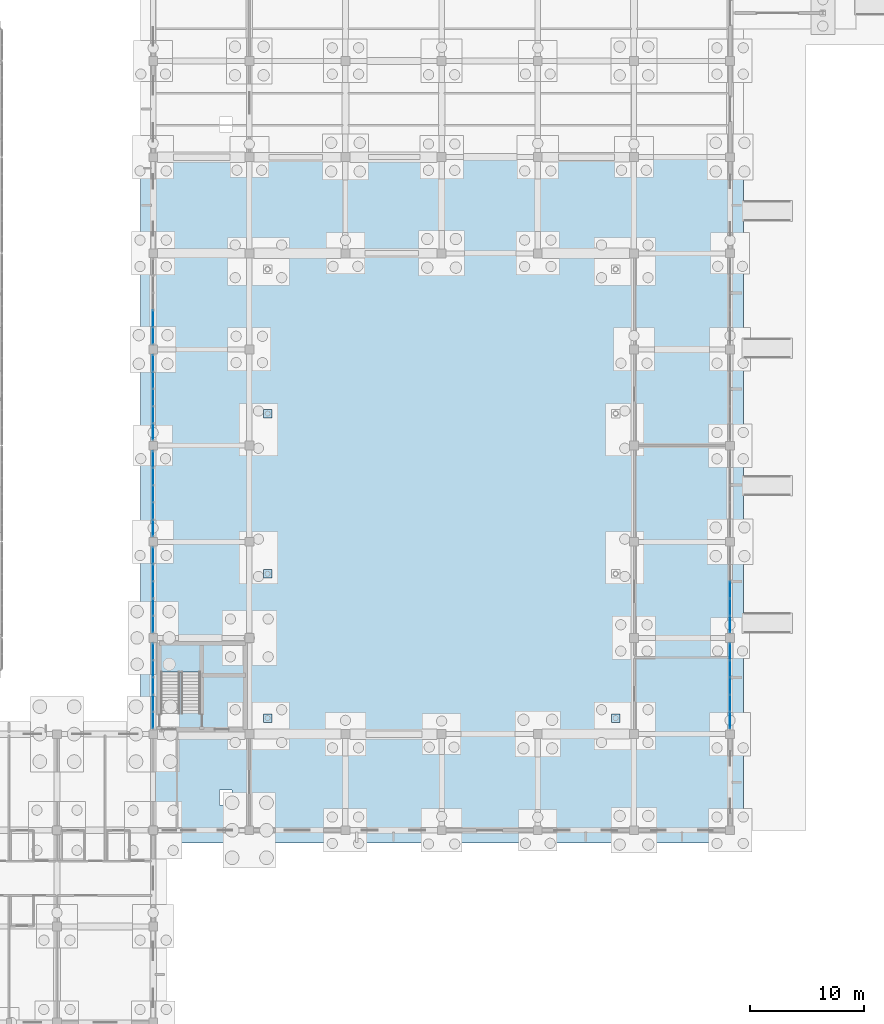
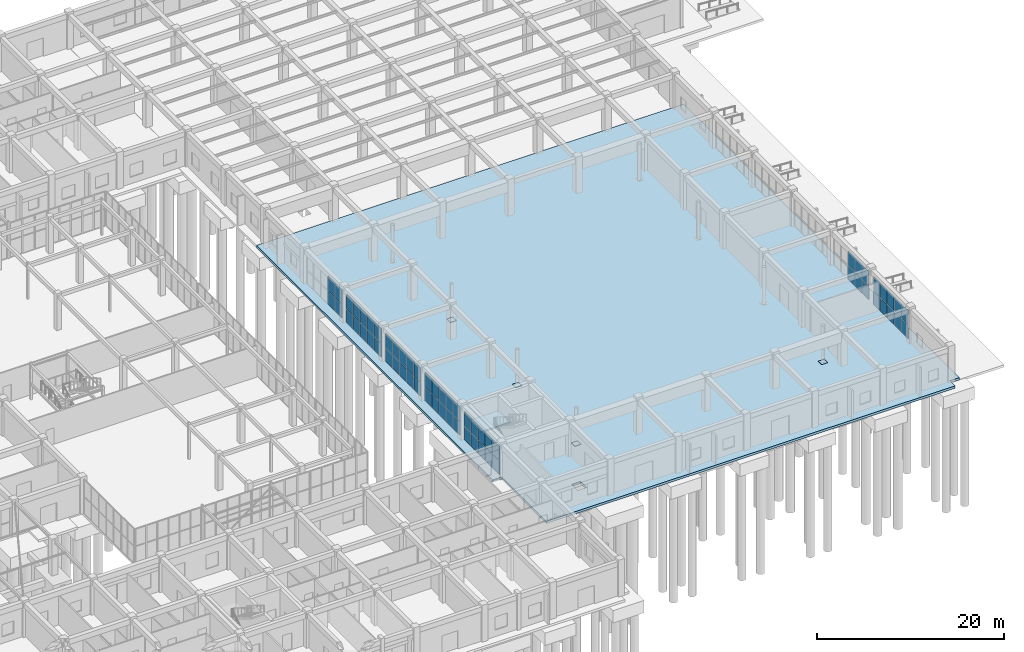
# One storey, part 144 of 192: 64 plates, 2 slabs, 8 elements without a shape of their own.
"""IFC4 building model written with IfcOpenShell, lengths in metres."""

from ifc_helpers import new_model, si_unit, direction, frame, origin, origin_2d, place, context, subcontext, project, spatial, polyline, rectangle, outline, extrude, material, layer, layer_set, type_object, element, aggregate, save


model = new_model("IFC4")

# Units and contexts
model_context = context("Model", 3, precision=1e-05, world=origin(), true_north=direction((0.0, 1.0)))
body_context = subcontext(model_context, "Body", "Model", "MODEL_VIEW")
ifc_project = project(units=[si_unit("LENGTHUNIT", "METRE"), si_unit("AREAUNIT", "SQUARE_METRE"), si_unit("VOLUMEUNIT", "CUBIC_METRE"), si_unit("PLANEANGLEUNIT", "RADIAN"), si_unit("MASSUNIT", "GRAM", prefix="KILO")], contexts=[model_context])

# Site, building, storey
site_placement = place(None, origin())
site = spatial("IfcSite", under=ifc_project, at=site_placement, CompositionType="ELEMENT")
building_placement = place(site_placement, origin())
building = spatial("IfcBuilding", under=site, at=building_placement, Name="Trelvath General Hospital", CompositionType="ELEMENT")
storey_placement = place(building_placement, origin())
storey = spatial("IfcBuildingStorey", under=building, at=storey_placement, Name="L00", CompositionType="ELEMENT", Elevation=0.0)

# Slab
ifc_material_1 = material(Name="Concrete C35/45", Category="concrete")
ifc_layer_1 = layer(ifc_material_1, 0.300048828125)
ifc_layer_set_1 = layer_set([ifc_layer_1], Name="Concrete C35/45")
slab_type_1 = type_object("IfcSlabType", Name="BaseSlab RC300", PredefinedType="BASESLAB", material=ifc_layer_set_1)
slab_1_placement = place(storey_placement, frame((0.0, 0.0, -0.300048828125)))
element("IfcSlab", 1, at=slab_1_placement, inside=storey, type_object=slab_type_1, Name="Floor Slab SL-L00-V1-M1", PredefinedType="BASESLAB", context=body_context, shape_type="SweptSolid", body=[
    extrude(outline(polyline([(133.300048828125, 25.219970703125), (133.300048828125, 75.60009765625), (134.3798828125, 75.60009765625), (134.3798828125, 75.580078125), (134.39990234375, 75.60009765625), (184.800048828125, 75.60009765625), (184.800048828125, 75.580078125), (184.820068359375, 75.60009765625), (185.949951171875, 75.60009765625), (185.949951171875, 16.800048828125), (184.800048828125, 16.800048828125), (184.800048828125, 15.699951171875), (134.419921875, 15.699951171875), (134.419921875, 16.800048828125), (134.39990234375, 16.800048828125), (134.39990234375, 25.219970703125), (133.300048828125, 25.219970703125)]), holes=[polyline([(140.199951171875, 19.0), (141.300048828125, 19.0), (141.300048828125, 20.300048828125), (140.199951171875, 20.300048828125), (140.199951171875, 19.0)])]), origin(), (0.0, 0.0, 1.0), 0.300048828125),
])

# Plates
ifc_material_2 = material(Name="Steel S355", Category="steel")
ifc_layer_2 = layer(ifc_material_2, 0.01611328125)
ifc_layer_set_2 = layer_set([ifc_layer_2], Name="Steel S355")
plate_type_1 = type_object("IfcPlateType", Name="BearingPlate Steel16", PredefinedType="SHEET", material=ifc_layer_set_2)
for number, where, z_axis, x_axis, name in (
    (2, (144.39990234375, 26.60009765625, 0.0), (0.0, 0.0, 1.0), (1.0, 0.0, 0.0), "Tree Column Base Plate BP-01"),
    (3, (144.39990234375, 39.199951171875, 0.0), (0.0, 0.0, 1.0), (1.0, 0.0, 0.0), "Tree Column Base Plate BP-02"),
    (4, (144.39990234375, 53.199951171875, 0.0), (0.0, 0.0, 1.0), (1.0, 0.0, 0.0), "Tree Column Base Plate BP-03"),
    (5, (174.800048828125, 26.60009765625, 0.0), (0.0, 0.0, 1.0), (1.0, 0.0, 0.0), "Tree Column Base Plate BP-05"),
):
    element("IfcPlate", number, at=place(storey_placement, frame(where, z_axis=z_axis, x_axis=x_axis)), inside=storey, type_object=plate_type_1, Name=name, PredefinedType="SHEET", context=body_context, shape_type="SweptSolid", body=[
        extrude(rectangle(XDim=0.75, YDim=0.75, at=origin_2d()), origin(), (0.0, 0.0, 1.0), 0.01611328125),
    ])

# Curtain wall, plates
ifc_material_3 = material(Name="Anodised aluminium and low-E glass", Category="aluminium")
ifc_layer_3 = layer(ifc_material_3, 0.179931640625)
ifc_layer_set_3 = layer_set([ifc_layer_3], Name="Anodised aluminium and low-E glass")
curtain_wall_type = type_object("IfcCurtainWallType", Name="CW Facade 753 382 18", PredefinedType="USERDEFINED", material=ifc_layer_set_3)
curtain_wall_1_placement = place(storey_placement, origin())
curtain_wall_1 = element("IfcCurtainWall", 6, at=curtain_wall_1_placement, inside=storey, type_object=curtain_wall_type, Name="Facade Curtain Wall CW-004", ObjectType="Unitised Glazed Curtain Wall", PredefinedType="USERDEFINED")
ifc_material_4 = material(Name="Low-E laminated glass", Category="glass")
ifc_layer_4 = layer(ifc_material_4, 0.035888671875)
ifc_layer_set_4 = layer_set([ifc_layer_4], Name="Low-E laminated glass")
plate_type_2 = type_object("IfcPlateType", Name="CurtainPanel Glass36", PredefinedType="CURTAIN_PANEL", material=ifc_layer_set_4)
plate_1_placement = place(storey_placement, frame((134.39990234375, 26.404296875, 0.06494140625), z_axis=(0.0, 0.0, 1.0), x_axis=(0.0, 1.0, 0.0)))
plate_1 = element("IfcPlate", 7, at=plate_1_placement, type_object=plate_type_2, Name="CW-004 panel 1.1", PredefinedType="CURTAIN_PANEL", context=body_context, shape_type="SweptSolid", body=[
    extrude(rectangle(XDim=1.408447265625, YDim=0.035888671875, at=origin_2d()), origin(), (0.0, 0.0, 1.0), 1.736572265625),
])
plate_2_placement = place(storey_placement, frame((134.39990234375, 26.404296875, 1.86669921875), z_axis=(0.0, 0.0, 1.0), x_axis=(0.0, 1.0, 0.0)))
plate_2 = element("IfcPlate", 8, at=plate_2_placement, type_object=plate_type_2, Name="CW-004 panel 1.2", PredefinedType="CURTAIN_PANEL", context=body_context, shape_type="SweptSolid", body=[
    extrude(rectangle(XDim=1.408447265625, YDim=0.035888671875, at=origin_2d()), origin(), (0.0, 0.0, 1.0), 1.888427734375),
])
plate_3_placement = place(storey_placement, frame((134.39990234375, 27.89404296875, 0.06494140625), z_axis=(0.0, 0.0, 1.0), x_axis=(0.0, 1.0, 0.0)))
plate_3 = element("IfcPlate", 9, at=plate_3_placement, type_object=plate_type_2, Name="CW-004 panel 2.1", PredefinedType="CURTAIN_PANEL", context=body_context, shape_type="SweptSolid", body=[
    extrude(rectangle(XDim=1.44091796875, YDim=0.035888671875, at=origin_2d()), origin(), (0.0, 0.0, 1.0), 1.736572265625),
])
plate_4_placement = place(storey_placement, frame((134.39990234375, 27.89404296875, 1.86669921875), z_axis=(0.0, 0.0, 1.0), x_axis=(0.0, 1.0, 0.0)))
plate_4 = element("IfcPlate", 10, at=plate_4_placement, type_object=plate_type_2, Name="CW-004 panel 2.2", PredefinedType="CURTAIN_PANEL", context=body_context, shape_type="SweptSolid", body=[
    extrude(rectangle(XDim=1.44091796875, YDim=0.035888671875, at=origin_2d()), origin(), (0.0, 0.0, 1.0), 1.888427734375),
])
plate_5_placement = place(storey_placement, frame((134.39990234375, 29.39990234375, 0.06494140625), z_axis=(0.0, 0.0, 1.0), x_axis=(0.0, 1.0, 0.0)))
plate_5 = element("IfcPlate", 11, at=plate_5_placement, type_object=plate_type_2, Name="CW-004 panel 3.1", PredefinedType="CURTAIN_PANEL", context=body_context, shape_type="SweptSolid", body=[
    extrude(rectangle(XDim=1.44091796875, YDim=0.035888671875, at=origin_2d()), origin(), (0.0, 0.0, 1.0), 1.736572265625),
])
plate_6_placement = place(storey_placement, frame((134.39990234375, 29.39990234375, 1.86669921875), z_axis=(0.0, 0.0, 1.0), x_axis=(0.0, 1.0, 0.0)))
plate_6 = element("IfcPlate", 12, at=plate_6_placement, type_object=plate_type_2, Name="CW-004 panel 3.2", PredefinedType="CURTAIN_PANEL", context=body_context, shape_type="SweptSolid", body=[
    extrude(rectangle(XDim=1.44091796875, YDim=0.035888671875, at=origin_2d()), origin(), (0.0, 0.0, 1.0), 1.888427734375),
])
plate_7_placement = place(storey_placement, frame((134.39990234375, 30.906005859375, 0.06494140625), z_axis=(0.0, 0.0, 1.0), x_axis=(0.0, 1.0, 0.0)))
plate_7 = element("IfcPlate", 13, at=plate_7_placement, type_object=plate_type_2, Name="CW-004 panel 4.1", PredefinedType="CURTAIN_PANEL", context=body_context, shape_type="SweptSolid", body=[
    extrude(rectangle(XDim=1.44091796875, YDim=0.035888671875, at=origin_2d()), origin(), (0.0, 0.0, 1.0), 1.736572265625),
])
plate_8_placement = place(storey_placement, frame((134.39990234375, 30.906005859375, 1.86669921875), z_axis=(0.0, 0.0, 1.0), x_axis=(0.0, 1.0, 0.0)))
plate_8 = element("IfcPlate", 14, at=plate_8_placement, type_object=plate_type_2, Name="CW-004 panel 4.2", PredefinedType="CURTAIN_PANEL", context=body_context, shape_type="SweptSolid", body=[
    extrude(rectangle(XDim=1.44091796875, YDim=0.035888671875, at=origin_2d()), origin(), (0.0, 0.0, 1.0), 1.888427734375),
])
plate_9_placement = place(storey_placement, frame((134.39990234375, 32.395751953125, 0.06494140625), z_axis=(0.0, 0.0, 1.0), x_axis=(0.0, 1.0, 0.0)))
plate_9 = element("IfcPlate", 15, at=plate_9_placement, type_object=plate_type_2, Name="CW-004 panel 5.1", PredefinedType="CURTAIN_PANEL", context=body_context, shape_type="SweptSolid", body=[
    extrude(rectangle(XDim=1.408447265625, YDim=0.035888671875, at=origin_2d()), origin(), (0.0, 0.0, 1.0), 1.736572265625),
])
plate_10_placement = place(storey_placement, frame((134.39990234375, 32.395751953125, 1.86669921875), z_axis=(0.0, 0.0, 1.0), x_axis=(0.0, 1.0, 0.0)))
plate_10 = element("IfcPlate", 16, at=plate_10_placement, type_object=plate_type_2, Name="CW-004 panel 5.2", PredefinedType="CURTAIN_PANEL", context=body_context, shape_type="SweptSolid", body=[
    extrude(rectangle(XDim=1.408447265625, YDim=0.035888671875, at=origin_2d()), origin(), (0.0, 0.0, 1.0), 1.888427734375),
])
aggregate(curtain_wall_1, [plate_1, plate_2, plate_3, plate_4, plate_5, plate_6, plate_7, plate_8, plate_9, plate_10])

curtain_wall_2_placement = place(storey_placement, origin())
curtain_wall_2 = element("IfcCurtainWall", 17, at=curtain_wall_2_placement, inside=storey, type_object=curtain_wall_type, Name="Facade Curtain Wall CW-005", ObjectType="Unitised Glazed Curtain Wall", PredefinedType="USERDEFINED")
plate_11_placement = place(storey_placement, frame((134.39990234375, 34.80419921875, 0.06494140625), z_axis=(0.0, 0.0, 1.0), x_axis=(0.0, 1.0, 0.0)))
plate_11 = element("IfcPlate", 18, at=plate_11_placement, type_object=plate_type_2, Name="CW-005 panel 1.1", PredefinedType="CURTAIN_PANEL", context=body_context, shape_type="SweptSolid", body=[
    extrude(rectangle(XDim=1.408447265625, YDim=0.035888671875, at=origin_2d()), origin(), (0.0, 0.0, 1.0), 1.736572265625),
])
plate_12_placement = place(storey_placement, frame((134.39990234375, 34.80419921875, 1.86669921875), z_axis=(0.0, 0.0, 1.0), x_axis=(0.0, 1.0, 0.0)))
plate_12 = element("IfcPlate", 19, at=plate_12_placement, type_object=plate_type_2, Name="CW-005 panel 1.2", PredefinedType="CURTAIN_PANEL", context=body_context, shape_type="SweptSolid", body=[
    extrude(rectangle(XDim=1.408447265625, YDim=0.035888671875, at=origin_2d()), origin(), (0.0, 0.0, 1.0), 1.888427734375),
])
plate_13_placement = place(storey_placement, frame((134.39990234375, 36.2939453125, 0.06494140625), z_axis=(0.0, 0.0, 1.0), x_axis=(0.0, 1.0, 0.0)))
plate_13 = element("IfcPlate", 20, at=plate_13_placement, type_object=plate_type_2, Name="CW-005 panel 2.1", PredefinedType="CURTAIN_PANEL", context=body_context, shape_type="SweptSolid", body=[
    extrude(rectangle(XDim=1.44091796875, YDim=0.035888671875, at=origin_2d()), origin(), (0.0, 0.0, 1.0), 1.736572265625),
])
plate_14_placement = place(storey_placement, frame((134.39990234375, 36.2939453125, 1.86669921875), z_axis=(0.0, 0.0, 1.0), x_axis=(0.0, 1.0, 0.0)))
plate_14 = element("IfcPlate", 21, at=plate_14_placement, type_object=plate_type_2, Name="CW-005 panel 2.2", PredefinedType="CURTAIN_PANEL", context=body_context, shape_type="SweptSolid", body=[
    extrude(rectangle(XDim=1.44091796875, YDim=0.035888671875, at=origin_2d()), origin(), (0.0, 0.0, 1.0), 1.888427734375),
])
plate_15_placement = place(storey_placement, frame((134.39990234375, 37.800048828125, 0.06494140625), z_axis=(0.0, 0.0, 1.0), x_axis=(0.0, 1.0, 0.0)))
plate_15 = element("IfcPlate", 22, at=plate_15_placement, type_object=plate_type_2, Name="CW-005 panel 3.1", PredefinedType="CURTAIN_PANEL", context=body_context, shape_type="SweptSolid", body=[
    extrude(rectangle(XDim=1.44091796875, YDim=0.035888671875, at=origin_2d()), origin(), (0.0, 0.0, 1.0), 1.736572265625),
])
plate_16_placement = place(storey_placement, frame((134.39990234375, 37.800048828125, 1.86669921875), z_axis=(0.0, 0.0, 1.0), x_axis=(0.0, 1.0, 0.0)))
plate_16 = element("IfcPlate", 23, at=plate_16_placement, type_object=plate_type_2, Name="CW-005 panel 3.2", PredefinedType="CURTAIN_PANEL", context=body_context, shape_type="SweptSolid", body=[
    extrude(rectangle(XDim=1.44091796875, YDim=0.035888671875, at=origin_2d()), origin(), (0.0, 0.0, 1.0), 1.888427734375),
])
plate_17_placement = place(storey_placement, frame((134.39990234375, 39.305908203125, 0.06494140625), z_axis=(0.0, 0.0, 1.0), x_axis=(0.0, 1.0, 0.0)))
plate_17 = element("IfcPlate", 24, at=plate_17_placement, type_object=plate_type_2, Name="CW-005 panel 4.1", PredefinedType="CURTAIN_PANEL", context=body_context, shape_type="SweptSolid", body=[
    extrude(rectangle(XDim=1.44091796875, YDim=0.035888671875, at=origin_2d()), origin(), (0.0, 0.0, 1.0), 1.736572265625),
])
plate_18_placement = place(storey_placement, frame((134.39990234375, 39.305908203125, 1.86669921875), z_axis=(0.0, 0.0, 1.0), x_axis=(0.0, 1.0, 0.0)))
plate_18 = element("IfcPlate", 25, at=plate_18_placement, type_object=plate_type_2, Name="CW-005 panel 4.2", PredefinedType="CURTAIN_PANEL", context=body_context, shape_type="SweptSolid", body=[
    extrude(rectangle(XDim=1.44091796875, YDim=0.035888671875, at=origin_2d()), origin(), (0.0, 0.0, 1.0), 1.888427734375),
])
plate_19_placement = place(storey_placement, frame((134.39990234375, 40.795654296875, 0.06494140625), z_axis=(0.0, 0.0, 1.0), x_axis=(0.0, 1.0, 0.0)))
plate_19 = element("IfcPlate", 26, at=plate_19_placement, type_object=plate_type_2, Name="CW-005 panel 5.1", PredefinedType="CURTAIN_PANEL", context=body_context, shape_type="SweptSolid", body=[
    extrude(rectangle(XDim=1.408447265625, YDim=0.035888671875, at=origin_2d()), origin(), (0.0, 0.0, 1.0), 1.736572265625),
])
plate_20_placement = place(storey_placement, frame((134.39990234375, 40.795654296875, 1.86669921875), z_axis=(0.0, 0.0, 1.0), x_axis=(0.0, 1.0, 0.0)))
plate_20 = element("IfcPlate", 27, at=plate_20_placement, type_object=plate_type_2, Name="CW-005 panel 5.2", PredefinedType="CURTAIN_PANEL", context=body_context, shape_type="SweptSolid", body=[
    extrude(rectangle(XDim=1.408447265625, YDim=0.035888671875, at=origin_2d()), origin(), (0.0, 0.0, 1.0), 1.888427734375),
])
aggregate(curtain_wall_2, [plate_11, plate_12, plate_13, plate_14, plate_15, plate_16, plate_17, plate_18, plate_19, plate_20])

curtain_wall_3_placement = place(storey_placement, origin())
curtain_wall_3 = element("IfcCurtainWall", 28, at=curtain_wall_3_placement, inside=storey, type_object=curtain_wall_type, Name="Facade Curtain Wall CW-006", ObjectType="Unitised Glazed Curtain Wall", PredefinedType="USERDEFINED")
plate_21_placement = place(storey_placement, frame((134.39990234375, 43.204345703125, 0.06494140625), z_axis=(0.0, 0.0, 1.0), x_axis=(0.0, 1.0, 0.0)))
plate_21 = element("IfcPlate", 29, at=plate_21_placement, type_object=plate_type_2, Name="CW-006 panel 1.1", PredefinedType="CURTAIN_PANEL", context=body_context, shape_type="SweptSolid", body=[
    extrude(rectangle(XDim=1.408447265625, YDim=0.035888671875, at=origin_2d()), origin(), (0.0, 0.0, 1.0), 1.736572265625),
])
plate_22_placement = place(storey_placement, frame((134.39990234375, 43.204345703125, 1.86669921875), z_axis=(0.0, 0.0, 1.0), x_axis=(0.0, 1.0, 0.0)))
plate_22 = element("IfcPlate", 30, at=plate_22_placement, type_object=plate_type_2, Name="CW-006 panel 1.2", PredefinedType="CURTAIN_PANEL", context=body_context, shape_type="SweptSolid", body=[
    extrude(rectangle(XDim=1.408447265625, YDim=0.035888671875, at=origin_2d()), origin(), (0.0, 0.0, 1.0), 1.888427734375),
])
plate_23_placement = place(storey_placement, frame((134.39990234375, 44.694091796875, 0.06494140625), z_axis=(0.0, 0.0, 1.0), x_axis=(0.0, 1.0, 0.0)))
plate_23 = element("IfcPlate", 31, at=plate_23_placement, type_object=plate_type_2, Name="CW-006 panel 2.1", PredefinedType="CURTAIN_PANEL", context=body_context, shape_type="SweptSolid", body=[
    extrude(rectangle(XDim=1.44091796875, YDim=0.035888671875, at=origin_2d()), origin(), (0.0, 0.0, 1.0), 1.736572265625),
])
plate_24_placement = place(storey_placement, frame((134.39990234375, 44.694091796875, 1.86669921875), z_axis=(0.0, 0.0, 1.0), x_axis=(0.0, 1.0, 0.0)))
plate_24 = element("IfcPlate", 32, at=plate_24_placement, type_object=plate_type_2, Name="CW-006 panel 2.2", PredefinedType="CURTAIN_PANEL", context=body_context, shape_type="SweptSolid", body=[
    extrude(rectangle(XDim=1.44091796875, YDim=0.035888671875, at=origin_2d()), origin(), (0.0, 0.0, 1.0), 1.888427734375),
])
plate_25_placement = place(storey_placement, frame((134.39990234375, 46.199951171875, 0.06494140625), z_axis=(0.0, 0.0, 1.0), x_axis=(0.0, 1.0, 0.0)))
plate_25 = element("IfcPlate", 33, at=plate_25_placement, type_object=plate_type_2, Name="CW-006 panel 3.1", PredefinedType="CURTAIN_PANEL", context=body_context, shape_type="SweptSolid", body=[
    extrude(rectangle(XDim=1.44091796875, YDim=0.035888671875, at=origin_2d()), origin(), (0.0, 0.0, 1.0), 1.736572265625),
])
plate_26_placement = place(storey_placement, frame((134.39990234375, 46.199951171875, 1.86669921875), z_axis=(0.0, 0.0, 1.0), x_axis=(0.0, 1.0, 0.0)))
plate_26 = element("IfcPlate", 34, at=plate_26_placement, type_object=plate_type_2, Name="CW-006 panel 3.2", PredefinedType="CURTAIN_PANEL", context=body_context, shape_type="SweptSolid", body=[
    extrude(rectangle(XDim=1.44091796875, YDim=0.035888671875, at=origin_2d()), origin(), (0.0, 0.0, 1.0), 1.888427734375),
])
plate_27_placement = place(storey_placement, frame((134.39990234375, 47.7060546875, 0.06494140625), z_axis=(0.0, 0.0, 1.0), x_axis=(0.0, 1.0, 0.0)))
plate_27 = element("IfcPlate", 35, at=plate_27_placement, type_object=plate_type_2, Name="CW-006 panel 4.1", PredefinedType="CURTAIN_PANEL", context=body_context, shape_type="SweptSolid", body=[
    extrude(rectangle(XDim=1.44091796875, YDim=0.035888671875, at=origin_2d()), origin(), (0.0, 0.0, 1.0), 1.736572265625),
])
plate_28_placement = place(storey_placement, frame((134.39990234375, 47.7060546875, 1.86669921875), z_axis=(0.0, 0.0, 1.0), x_axis=(0.0, 1.0, 0.0)))
plate_28 = element("IfcPlate", 36, at=plate_28_placement, type_object=plate_type_2, Name="CW-006 panel 4.2", PredefinedType="CURTAIN_PANEL", context=body_context, shape_type="SweptSolid", body=[
    extrude(rectangle(XDim=1.44091796875, YDim=0.035888671875, at=origin_2d()), origin(), (0.0, 0.0, 1.0), 1.888427734375),
])
plate_29_placement = place(storey_placement, frame((134.39990234375, 49.19580078125, 0.06494140625), z_axis=(0.0, 0.0, 1.0), x_axis=(0.0, 1.0, 0.0)))
plate_29 = element("IfcPlate", 37, at=plate_29_placement, type_object=plate_type_2, Name="CW-006 panel 5.1", PredefinedType="CURTAIN_PANEL", context=body_context, shape_type="SweptSolid", body=[
    extrude(rectangle(XDim=1.408447265625, YDim=0.035888671875, at=origin_2d()), origin(), (0.0, 0.0, 1.0), 1.736572265625),
])
plate_30_placement = place(storey_placement, frame((134.39990234375, 49.19580078125, 1.86669921875), z_axis=(0.0, 0.0, 1.0), x_axis=(0.0, 1.0, 0.0)))
plate_30 = element("IfcPlate", 38, at=plate_30_placement, type_object=plate_type_2, Name="CW-006 panel 5.2", PredefinedType="CURTAIN_PANEL", context=body_context, shape_type="SweptSolid", body=[
    extrude(rectangle(XDim=1.408447265625, YDim=0.035888671875, at=origin_2d()), origin(), (0.0, 0.0, 1.0), 1.888427734375),
])
aggregate(curtain_wall_3, [plate_21, plate_22, plate_23, plate_24, plate_25, plate_26, plate_27, plate_28, plate_29, plate_30])

curtain_wall_4_placement = place(storey_placement, origin())
curtain_wall_4 = element("IfcCurtainWall", 39, at=curtain_wall_4_placement, inside=storey, type_object=curtain_wall_type, Name="Facade Curtain Wall CW-007", ObjectType="Unitised Glazed Curtain Wall", PredefinedType="USERDEFINED")
plate_31_placement = place(storey_placement, frame((134.39990234375, 51.604248046875, 0.06494140625), z_axis=(0.0, 0.0, 1.0), x_axis=(0.0, 1.0, 0.0)))
plate_31 = element("IfcPlate", 40, at=plate_31_placement, type_object=plate_type_2, Name="CW-007 panel 1.1", PredefinedType="CURTAIN_PANEL", context=body_context, shape_type="SweptSolid", body=[
    extrude(rectangle(XDim=1.408447265625, YDim=0.035888671875, at=origin_2d()), origin(), (0.0, 0.0, 1.0), 1.736572265625),
])
plate_32_placement = place(storey_placement, frame((134.39990234375, 51.604248046875, 1.86669921875), z_axis=(0.0, 0.0, 1.0), x_axis=(0.0, 1.0, 0.0)))
plate_32 = element("IfcPlate", 41, at=plate_32_placement, type_object=plate_type_2, Name="CW-007 panel 1.2", PredefinedType="CURTAIN_PANEL", context=body_context, shape_type="SweptSolid", body=[
    extrude(rectangle(XDim=1.408447265625, YDim=0.035888671875, at=origin_2d()), origin(), (0.0, 0.0, 1.0), 1.888427734375),
])
plate_33_placement = place(storey_placement, frame((134.39990234375, 53.093994140625, 0.06494140625), z_axis=(0.0, 0.0, 1.0), x_axis=(0.0, 1.0, 0.0)))
plate_33 = element("IfcPlate", 42, at=plate_33_placement, type_object=plate_type_2, Name="CW-007 panel 2.1", PredefinedType="CURTAIN_PANEL", context=body_context, shape_type="SweptSolid", body=[
    extrude(rectangle(XDim=1.44091796875, YDim=0.035888671875, at=origin_2d()), origin(), (0.0, 0.0, 1.0), 1.736572265625),
])
plate_34_placement = place(storey_placement, frame((134.39990234375, 53.093994140625, 1.86669921875), z_axis=(0.0, 0.0, 1.0), x_axis=(0.0, 1.0, 0.0)))
plate_34 = element("IfcPlate", 43, at=plate_34_placement, type_object=plate_type_2, Name="CW-007 panel 2.2", PredefinedType="CURTAIN_PANEL", context=body_context, shape_type="SweptSolid", body=[
    extrude(rectangle(XDim=1.44091796875, YDim=0.035888671875, at=origin_2d()), origin(), (0.0, 0.0, 1.0), 1.888427734375),
])
plate_35_placement = place(storey_placement, frame((134.39990234375, 54.60009765625, 0.06494140625), z_axis=(0.0, 0.0, 1.0), x_axis=(0.0, 1.0, 0.0)))
plate_35 = element("IfcPlate", 44, at=plate_35_placement, type_object=plate_type_2, Name="CW-007 panel 3.1", PredefinedType="CURTAIN_PANEL", context=body_context, shape_type="SweptSolid", body=[
    extrude(rectangle(XDim=1.44091796875, YDim=0.035888671875, at=origin_2d()), origin(), (0.0, 0.0, 1.0), 1.736572265625),
])
plate_36_placement = place(storey_placement, frame((134.39990234375, 54.60009765625, 1.86669921875), z_axis=(0.0, 0.0, 1.0), x_axis=(0.0, 1.0, 0.0)))
plate_36 = element("IfcPlate", 45, at=plate_36_placement, type_object=plate_type_2, Name="CW-007 panel 3.2", PredefinedType="CURTAIN_PANEL", context=body_context, shape_type="SweptSolid", body=[
    extrude(rectangle(XDim=1.44091796875, YDim=0.035888671875, at=origin_2d()), origin(), (0.0, 0.0, 1.0), 1.888427734375),
])
plate_37_placement = place(storey_placement, frame((134.39990234375, 56.10595703125, 0.06494140625), z_axis=(0.0, 0.0, 1.0), x_axis=(0.0, 1.0, 0.0)))
plate_37 = element("IfcPlate", 46, at=plate_37_placement, type_object=plate_type_2, Name="CW-007 panel 4.1", PredefinedType="CURTAIN_PANEL", context=body_context, shape_type="SweptSolid", body=[
    extrude(rectangle(XDim=1.44091796875, YDim=0.035888671875, at=origin_2d()), origin(), (0.0, 0.0, 1.0), 1.736572265625),
])
plate_38_placement = place(storey_placement, frame((134.39990234375, 56.10595703125, 1.86669921875), z_axis=(0.0, 0.0, 1.0), x_axis=(0.0, 1.0, 0.0)))
plate_38 = element("IfcPlate", 47, at=plate_38_placement, type_object=plate_type_2, Name="CW-007 panel 4.2", PredefinedType="CURTAIN_PANEL", context=body_context, shape_type="SweptSolid", body=[
    extrude(rectangle(XDim=1.44091796875, YDim=0.035888671875, at=origin_2d()), origin(), (0.0, 0.0, 1.0), 1.888427734375),
])
plate_39_placement = place(storey_placement, frame((134.39990234375, 57.595703125, 0.06494140625), z_axis=(0.0, 0.0, 1.0), x_axis=(0.0, 1.0, 0.0)))
plate_39 = element("IfcPlate", 48, at=plate_39_placement, type_object=plate_type_2, Name="CW-007 panel 5.1", PredefinedType="CURTAIN_PANEL", context=body_context, shape_type="SweptSolid", body=[
    extrude(rectangle(XDim=1.408447265625, YDim=0.035888671875, at=origin_2d()), origin(), (0.0, 0.0, 1.0), 1.736572265625),
])
plate_40_placement = place(storey_placement, frame((134.39990234375, 57.595703125, 1.86669921875), z_axis=(0.0, 0.0, 1.0), x_axis=(0.0, 1.0, 0.0)))
plate_40 = element("IfcPlate", 49, at=plate_40_placement, type_object=plate_type_2, Name="CW-007 panel 5.2", PredefinedType="CURTAIN_PANEL", context=body_context, shape_type="SweptSolid", body=[
    extrude(rectangle(XDim=1.408447265625, YDim=0.035888671875, at=origin_2d()), origin(), (0.0, 0.0, 1.0), 1.888427734375),
])
aggregate(curtain_wall_4, [plate_31, plate_32, plate_33, plate_34, plate_35, plate_36, plate_37, plate_38, plate_39, plate_40])

curtain_wall_5_placement = place(storey_placement, origin())
curtain_wall_5 = element("IfcCurtainWall", 50, at=curtain_wall_5_placement, inside=storey, type_object=curtain_wall_type, Name="Facade Curtain Wall CW-008", ObjectType="Unitised Glazed Curtain Wall", PredefinedType="USERDEFINED")
plate_41_placement = place(storey_placement, frame((134.39990234375, 60.004150390625, 0.06494140625), z_axis=(0.0, 0.0, 1.0), x_axis=(0.0, 1.0, 0.0)))
plate_41 = element("IfcPlate", 51, at=plate_41_placement, type_object=plate_type_2, Name="CW-008 panel 1.1", PredefinedType="CURTAIN_PANEL", context=body_context, shape_type="SweptSolid", body=[
    extrude(rectangle(XDim=1.408447265625, YDim=0.035888671875, at=origin_2d()), origin(), (0.0, 0.0, 1.0), 1.736572265625),
])
plate_42_placement = place(storey_placement, frame((134.39990234375, 60.004150390625, 1.86669921875), z_axis=(0.0, 0.0, 1.0), x_axis=(0.0, 1.0, 0.0)))
plate_42 = element("IfcPlate", 52, at=plate_42_placement, type_object=plate_type_2, Name="CW-008 panel 1.2", PredefinedType="CURTAIN_PANEL", context=body_context, shape_type="SweptSolid", body=[
    extrude(rectangle(XDim=1.408447265625, YDim=0.035888671875, at=origin_2d()), origin(), (0.0, 0.0, 1.0), 1.888427734375),
])
plate_43_placement = place(storey_placement, frame((134.39990234375, 61.493896484375, 0.06494140625), z_axis=(0.0, 0.0, 1.0), x_axis=(0.0, 1.0, 0.0)))
plate_43 = element("IfcPlate", 53, at=plate_43_placement, type_object=plate_type_2, Name="CW-008 panel 2.1", PredefinedType="CURTAIN_PANEL", context=body_context, shape_type="SweptSolid", body=[
    extrude(rectangle(XDim=1.44091796875, YDim=0.035888671875, at=origin_2d()), origin(), (0.0, 0.0, 1.0), 1.736572265625),
])
plate_44_placement = place(storey_placement, frame((134.39990234375, 61.493896484375, 1.86669921875), z_axis=(0.0, 0.0, 1.0), x_axis=(0.0, 1.0, 0.0)))
plate_44 = element("IfcPlate", 54, at=plate_44_placement, type_object=plate_type_2, Name="CW-008 panel 2.2", PredefinedType="CURTAIN_PANEL", context=body_context, shape_type="SweptSolid", body=[
    extrude(rectangle(XDim=1.44091796875, YDim=0.035888671875, at=origin_2d()), origin(), (0.0, 0.0, 1.0), 1.888427734375),
])
aggregate(curtain_wall_5, [plate_41, plate_42, plate_43, plate_44])

curtain_wall_6_placement = place(storey_placement, origin())
curtain_wall_6 = element("IfcCurtainWall", 55, at=curtain_wall_6_placement, inside=storey, type_object=curtain_wall_type, Name="Facade Curtain Wall CW-009", ObjectType="Unitised Glazed Curtain Wall", PredefinedType="USERDEFINED")
plate_45_placement = place(storey_placement, frame((184.800048828125, 32.395751953125, 0.06494140625), z_axis=(0.0, 0.0, 1.0), x_axis=(0.0, -1.0, 0.0)))
plate_45 = element("IfcPlate", 56, at=plate_45_placement, type_object=plate_type_2, Name="CW-009 panel 1.1", PredefinedType="CURTAIN_PANEL", context=body_context, shape_type="SweptSolid", body=[
    extrude(rectangle(XDim=1.408447265625, YDim=0.035888671875, at=origin_2d()), origin(), (0.0, 0.0, 1.0), 1.736572265625),
])
plate_46_placement = place(storey_placement, frame((184.800048828125, 32.395751953125, 1.86669921875), z_axis=(0.0, 0.0, 1.0), x_axis=(0.0, -1.0, 0.0)))
plate_46 = element("IfcPlate", 57, at=plate_46_placement, type_object=plate_type_2, Name="CW-009 panel 1.2", PredefinedType="CURTAIN_PANEL", context=body_context, shape_type="SweptSolid", body=[
    extrude(rectangle(XDim=1.408447265625, YDim=0.035888671875, at=origin_2d()), origin(), (0.0, 0.0, 1.0), 1.888427734375),
])
plate_47_placement = place(storey_placement, frame((184.800048828125, 30.906005859375, 0.06494140625), z_axis=(0.0, 0.0, 1.0), x_axis=(0.0, -1.0, 0.0)))
plate_47 = element("IfcPlate", 58, at=plate_47_placement, type_object=plate_type_2, Name="CW-009 panel 2.1", PredefinedType="CURTAIN_PANEL", context=body_context, shape_type="SweptSolid", body=[
    extrude(rectangle(XDim=1.44091796875, YDim=0.035888671875, at=origin_2d()), origin(), (0.0, 0.0, 1.0), 1.736572265625),
])
plate_48_placement = place(storey_placement, frame((184.800048828125, 30.906005859375, 1.86669921875), z_axis=(0.0, 0.0, 1.0), x_axis=(0.0, -1.0, 0.0)))
plate_48 = element("IfcPlate", 59, at=plate_48_placement, type_object=plate_type_2, Name="CW-009 panel 2.2", PredefinedType="CURTAIN_PANEL", context=body_context, shape_type="SweptSolid", body=[
    extrude(rectangle(XDim=1.44091796875, YDim=0.035888671875, at=origin_2d()), origin(), (0.0, 0.0, 1.0), 1.888427734375),
])
plate_49_placement = place(storey_placement, frame((184.800048828125, 29.39990234375, 0.06494140625), z_axis=(0.0, 0.0, 1.0), x_axis=(0.0, -1.0, 0.0)))
plate_49 = element("IfcPlate", 60, at=plate_49_placement, type_object=plate_type_2, Name="CW-009 panel 3.1", PredefinedType="CURTAIN_PANEL", context=body_context, shape_type="SweptSolid", body=[
    extrude(rectangle(XDim=1.44091796875, YDim=0.035888671875, at=origin_2d()), origin(), (0.0, 0.0, 1.0), 1.736572265625),
])
plate_50_placement = place(storey_placement, frame((184.800048828125, 29.39990234375, 1.86669921875), z_axis=(0.0, 0.0, 1.0), x_axis=(0.0, -1.0, 0.0)))
plate_50 = element("IfcPlate", 61, at=plate_50_placement, type_object=plate_type_2, Name="CW-009 panel 3.2", PredefinedType="CURTAIN_PANEL", context=body_context, shape_type="SweptSolid", body=[
    extrude(rectangle(XDim=1.44091796875, YDim=0.035888671875, at=origin_2d()), origin(), (0.0, 0.0, 1.0), 1.888427734375),
])
plate_51_placement = place(storey_placement, frame((184.800048828125, 27.89404296875, 0.06494140625), z_axis=(0.0, 0.0, 1.0), x_axis=(0.0, -1.0, 0.0)))
plate_51 = element("IfcPlate", 62, at=plate_51_placement, type_object=plate_type_2, Name="CW-009 panel 4.1", PredefinedType="CURTAIN_PANEL", context=body_context, shape_type="SweptSolid", body=[
    extrude(rectangle(XDim=1.44091796875, YDim=0.035888671875, at=origin_2d()), origin(), (0.0, 0.0, 1.0), 1.736572265625),
])
plate_52_placement = place(storey_placement, frame((184.800048828125, 27.89404296875, 1.86669921875), z_axis=(0.0, 0.0, 1.0), x_axis=(0.0, -1.0, 0.0)))
plate_52 = element("IfcPlate", 63, at=plate_52_placement, type_object=plate_type_2, Name="CW-009 panel 4.2", PredefinedType="CURTAIN_PANEL", context=body_context, shape_type="SweptSolid", body=[
    extrude(rectangle(XDim=1.44091796875, YDim=0.035888671875, at=origin_2d()), origin(), (0.0, 0.0, 1.0), 1.888427734375),
])
plate_53_placement = place(storey_placement, frame((184.800048828125, 26.404296875, 0.06494140625), z_axis=(0.0, 0.0, 1.0), x_axis=(0.0, -1.0, 0.0)))
plate_53 = element("IfcPlate", 64, at=plate_53_placement, type_object=plate_type_2, Name="CW-009 panel 5.1", PredefinedType="CURTAIN_PANEL", context=body_context, shape_type="SweptSolid", body=[
    extrude(rectangle(XDim=1.408447265625, YDim=0.035888671875, at=origin_2d()), origin(), (0.0, 0.0, 1.0), 1.736572265625),
])
plate_54_placement = place(storey_placement, frame((184.800048828125, 26.404296875, 1.86669921875), z_axis=(0.0, 0.0, 1.0), x_axis=(0.0, -1.0, 0.0)))
plate_54 = element("IfcPlate", 65, at=plate_54_placement, type_object=plate_type_2, Name="CW-009 panel 5.2", PredefinedType="CURTAIN_PANEL", context=body_context, shape_type="SweptSolid", body=[
    extrude(rectangle(XDim=1.408447265625, YDim=0.035888671875, at=origin_2d()), origin(), (0.0, 0.0, 1.0), 1.888427734375),
])
aggregate(curtain_wall_6, [plate_45, plate_46, plate_47, plate_48, plate_49, plate_50, plate_51, plate_52, plate_53, plate_54])

curtain_wall_7_placement = place(storey_placement, origin())
curtain_wall_7 = element("IfcCurtainWall", 66, at=curtain_wall_7_placement, inside=storey, type_object=curtain_wall_type, Name="Facade Curtain Wall CW-010", ObjectType="Unitised Glazed Curtain Wall", PredefinedType="USERDEFINED")
plate_55_placement = place(storey_placement, frame((184.800048828125, 37.800048828125, 0.06494140625), z_axis=(0.0, 0.0, 1.0), x_axis=(0.0, -1.0, 0.0)))
plate_55 = element("IfcPlate", 67, at=plate_55_placement, type_object=plate_type_2, Name="CW-010 panel 3.1", PredefinedType="CURTAIN_PANEL", context=body_context, shape_type="SweptSolid", body=[
    extrude(rectangle(XDim=1.44091796875, YDim=0.035888671875, at=origin_2d()), origin(), (0.0, 0.0, 1.0), 1.736572265625),
])
plate_56_placement = place(storey_placement, frame((184.800048828125, 37.800048828125, 1.86669921875), z_axis=(0.0, 0.0, 1.0), x_axis=(0.0, -1.0, 0.0)))
plate_56 = element("IfcPlate", 68, at=plate_56_placement, type_object=plate_type_2, Name="CW-010 panel 3.2", PredefinedType="CURTAIN_PANEL", context=body_context, shape_type="SweptSolid", body=[
    extrude(rectangle(XDim=1.44091796875, YDim=0.035888671875, at=origin_2d()), origin(), (0.0, 0.0, 1.0), 1.888427734375),
])
plate_57_placement = place(storey_placement, frame((184.800048828125, 36.2939453125, 0.06494140625), z_axis=(0.0, 0.0, 1.0), x_axis=(0.0, -1.0, 0.0)))
plate_57 = element("IfcPlate", 69, at=plate_57_placement, type_object=plate_type_2, Name="CW-010 panel 4.1", PredefinedType="CURTAIN_PANEL", context=body_context, shape_type="SweptSolid", body=[
    extrude(rectangle(XDim=1.44091796875, YDim=0.035888671875, at=origin_2d()), origin(), (0.0, 0.0, 1.0), 1.736572265625),
])
plate_58_placement = place(storey_placement, frame((184.800048828125, 36.2939453125, 1.86669921875), z_axis=(0.0, 0.0, 1.0), x_axis=(0.0, -1.0, 0.0)))
plate_58 = element("IfcPlate", 70, at=plate_58_placement, type_object=plate_type_2, Name="CW-010 panel 4.2", PredefinedType="CURTAIN_PANEL", context=body_context, shape_type="SweptSolid", body=[
    extrude(rectangle(XDim=1.44091796875, YDim=0.035888671875, at=origin_2d()), origin(), (0.0, 0.0, 1.0), 1.888427734375),
])
plate_59_placement = place(storey_placement, frame((184.800048828125, 34.80419921875, 0.06494140625), z_axis=(0.0, 0.0, 1.0), x_axis=(0.0, -1.0, 0.0)))
plate_59 = element("IfcPlate", 71, at=plate_59_placement, type_object=plate_type_2, Name="CW-010 panel 5.1", PredefinedType="CURTAIN_PANEL", context=body_context, shape_type="SweptSolid", body=[
    extrude(rectangle(XDim=1.408447265625, YDim=0.035888671875, at=origin_2d()), origin(), (0.0, 0.0, 1.0), 1.736572265625),
])
plate_60_placement = place(storey_placement, frame((184.800048828125, 34.80419921875, 1.86669921875), z_axis=(0.0, 0.0, 1.0), x_axis=(0.0, -1.0, 0.0)))
plate_60 = element("IfcPlate", 72, at=plate_60_placement, type_object=plate_type_2, Name="CW-010 panel 5.2", PredefinedType="CURTAIN_PANEL", context=body_context, shape_type="SweptSolid", body=[
    extrude(rectangle(XDim=1.408447265625, YDim=0.035888671875, at=origin_2d()), origin(), (0.0, 0.0, 1.0), 1.888427734375),
])
aggregate(curtain_wall_7, [plate_55, plate_56, plate_57, plate_58, plate_59, plate_60])

# Stair, slab
ifc_material_5 = material(Name="Concrete C35/45", Category="concrete")
stair_type = type_object("IfcStairType", Name="Stair Stretcher480", PredefinedType="TWO_STRAIGHT_RUN_STAIR", material=ifc_material_5)
stair_placement = place(storey_placement, origin())
stair = element("IfcStair", 73, at=stair_placement, inside=storey, type_object=stair_type, Name="Exit Stair ST7 L00", PredefinedType="TWO_STRAIGHT_RUN_STAIR")
ifc_material_6 = material(Name="Concrete C35/45", Category="concrete")
ifc_layer_5 = layer(ifc_material_6, 0.199951171875)
ifc_layer_set_5 = layer_set([ifc_layer_5], Name="Concrete C35/45")
slab_type_2 = type_object("IfcSlabType", Name="StairLanding 200", PredefinedType="LANDING", material=ifc_layer_set_5)
slab_2_placement = place(storey_placement, frame((0.0, 0.0, 2.199951171875)))
slab_2 = element("IfcSlab", 74, at=slab_2_placement, type_object=slab_type_2, Name="ST7-L00 landing 1", PredefinedType="LANDING", context=body_context, shape_type="SweptSolid", body=[
    extrude(outline(polyline([(134.9599609375, 30.639892578125), (138.639892578125, 30.639892578125), (138.639892578125, 33.139892578125), (134.9599609375, 33.139892578125), (134.9599609375, 30.639892578125)])), origin(), (0.0, 0.0, 1.0), 0.199951171875),
])
aggregate(stair, [slab_2])

save(model, "model.ifc")
